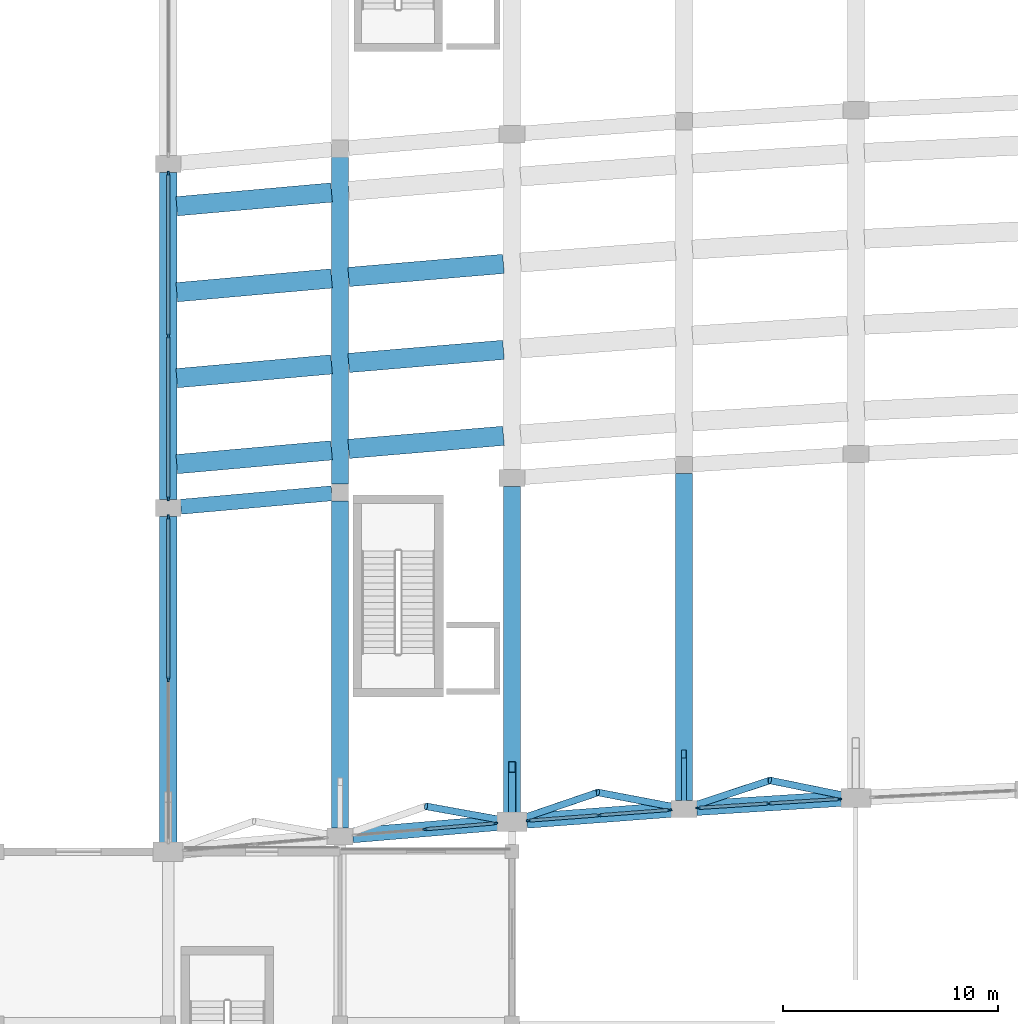
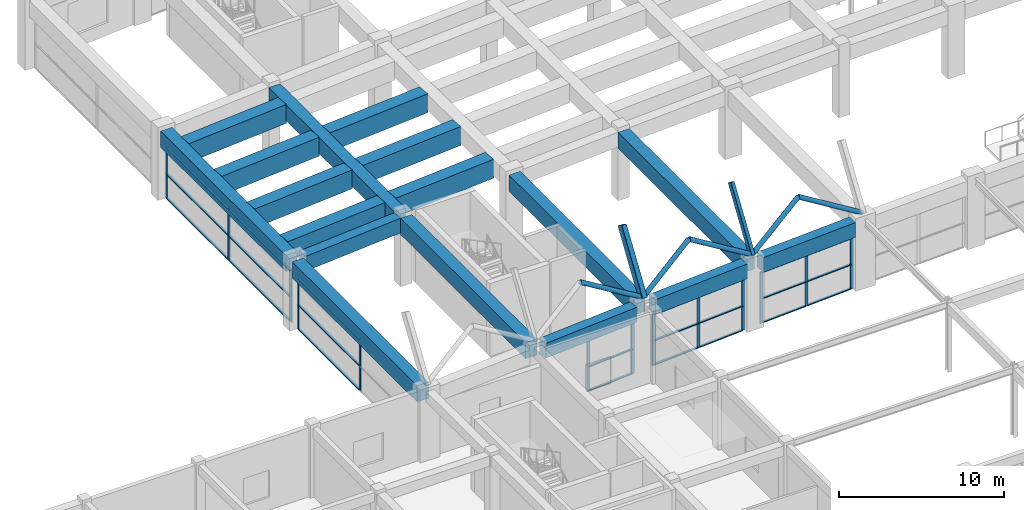
# One storey, part 21 of 69: 42 members, 19 beams, 5 elements without a shape of their own.
"""IFC4 building model written with IfcOpenShell, lengths in metres."""

from ifc_helpers import new_model, si_unit, direction, frame, origin, origin_2d, place, context, subcontext, project, spatial, rectangle, hollow_rectangle, hollow_circle, extrude, material, material_profile, profile_set, type_object, element, aggregate, save


model = new_model("IFC4")

# Units and contexts
model_context = context("Model", 3, precision=1e-05, world=origin(), true_north=direction((0.0, 1.0)))
body_context = subcontext(model_context, "Body", "Model", "MODEL_VIEW")
ifc_project = project(units=[si_unit("LENGTHUNIT", "METRE"), si_unit("AREAUNIT", "SQUARE_METRE"), si_unit("VOLUMEUNIT", "CUBIC_METRE"), si_unit("PLANEANGLEUNIT", "RADIAN"), si_unit("MASSUNIT", "GRAM", prefix="KILO")], contexts=[model_context])

# Site, building, storey
site_placement = place(None, origin())
site = spatial("IfcSite", under=ifc_project, at=site_placement, CompositionType="ELEMENT")
building_placement = place(site_placement, origin())
building = spatial("IfcBuilding", under=site, at=building_placement, Name="Kenh Van Central Station", CompositionType="ELEMENT")
storey_placement = place(building_placement, frame((0.0, 0.0, 5.39990234375)))
storey = spatial("IfcBuildingStorey", under=building, at=storey_placement, Name="L01", CompositionType="ELEMENT", Elevation=5.39990234375)

# Beams
ifc_material_1 = material(Name="Concrete C40/50", Category="concrete")
ifc_material_profile_1 = material_profile(ifc_material_1, rectangle(XDim=0.699951171875, YDim=1.10009765625, at=origin_2d()), Name="RC 700x1100")
ifc_profile_set_1 = profile_set([ifc_material_profile_1], Name="Concrete C40/50")
beam_type_1 = type_object("IfcBeamType", Name="BM-RC-700x1100", PredefinedType="BEAM", material=ifc_profile_set_1)
beam_1_placement = place(storey_placement, frame((40.587890625, 64.76171875, 4.530029296875), z_axis=(0.996444229131, 0.084254959688, 0.0), x_axis=(-0.084254959688, 0.996444229131, 0.0)))
element("IfcBeam", 1, at=beam_1_placement, inside=storey, type_object=beam_type_1, Name="L01 viaduct girder 1382", PredefinedType="BEAM", context=body_context, shape_type="SweptSolid", body=[
    extrude(rectangle(XDim=0.699951171875, YDim=1.10009765625, at=origin_2d()), origin(), (0.0, 0.0, 1.0), 6.74853515625),
])
beam_2_placement = place(storey_placement, frame((48.68798828125, 65.440673828125, 4.530029296875), z_axis=(0.997135493389, 0.075636021993, 0.0), x_axis=(-0.075636021993, 0.997135493389, 0.0)))
element("IfcBeam", 2, at=beam_2_placement, inside=storey, type_object=beam_type_1, Name="L01 viaduct girder 1383", PredefinedType="BEAM", context=body_context, shape_type="SweptSolid", body=[
    extrude(rectangle(XDim=0.699951171875, YDim=1.10009765625, at=origin_2d()), origin(), (0.0, 0.0, 1.0), 6.742919921875),
])
beam_3_placement = place(storey_placement, frame((56.5888671875, 66.032470703125, 4.530029296875), z_axis=(0.99800019098, 0.06321090732, 0.0), x_axis=(-0.06321090732, 0.99800019098, 0.0)))
element("IfcBeam", 3, at=beam_3_placement, inside=storey, type_object=beam_type_1, Name="L01 viaduct girder 1384", PredefinedType="BEAM", context=body_context, shape_type="SweptSolid", body=[
    extrude(rectangle(XDim=0.699951171875, YDim=1.10009765625, at=origin_2d()), origin(), (0.0, 0.0, 1.0), 6.73583984375),
])
beam_4_placement = place(storey_placement, frame((32.587646484375, 80.05224609375, 4.530029296875), z_axis=(0.996061437134, 0.088665740024, 0.0), x_axis=(-0.088665740024, 0.996061437134, 0.0)))
element("IfcBeam", 4, at=beam_4_placement, inside=storey, type_object=beam_type_1, Name="L01 viaduct girder 1395", PredefinedType="BEAM", context=body_context, shape_type="SweptSolid", body=[
    extrude(rectangle(XDim=0.699951171875, YDim=1.10009765625, at=origin_2d()), origin(), (0.0, 0.0, 1.0), 7.0517578125),
])
ifc_material_profile_2 = material_profile(ifc_material_1, rectangle(XDim=0.800048828125, YDim=1.199951171875, at=origin_2d()), Name="RC 800x1200")
ifc_profile_set_2 = profile_set([ifc_material_profile_2], Name="Concrete C40/50")
beam_type_2 = type_object("IfcBeamType", Name="BM-TRK-800x1200", PredefinedType="BEAM", material=ifc_profile_set_2)
beam_5_placement = place(storey_placement, frame((32.0, 64.43994140625, 4.47998046875), z_axis=(0.0, 1.0, 0.0), x_axis=(-1.0, 0.0, 0.0)))
element("IfcBeam", 5, at=beam_5_placement, inside=storey, type_object=beam_type_2, Name="L01 viaduct cross-girder 1436", PredefinedType="BEAM", context=body_context, shape_type="SweptSolid", body=[
    extrude(rectangle(XDim=0.800048828125, YDim=1.199951171875, at=origin_2d()), origin(), (0.0, 0.0, 1.0), 15.170166015625),
])
beam_6_placement = place(storey_placement, frame((32.0, 80.389892578125, 4.47998046875), z_axis=(0.0, 1.0, 0.0), x_axis=(-1.0, 0.0, 0.0)))
element("IfcBeam", 6, at=beam_6_placement, inside=storey, type_object=beam_type_2, Name="L01 viaduct cross-girder 1437", PredefinedType="BEAM", context=body_context, shape_type="SweptSolid", body=[
    extrude(rectangle(XDim=0.800048828125, YDim=1.199951171875, at=origin_2d()), origin(), (0.0, 0.0, 1.0), 15.22021484375),
])
for number, where, z_axis, x_axis, name in (
    (7, (40.0, 65.10205078125, 4.47998046875), (0.0, 1.0, 0.0), (-1.0, 0.0, 0.0), "L01 viaduct cross-girder 1439"),
    (8, (40.0, 81.10205078125, 4.47998046875), (0.0, 1.0, 0.0), (-1.0, 0.0, 0.0), "L01 viaduct cross-girder 1440"),
):
    element("IfcBeam", number, at=place(storey_placement, frame(where, z_axis=z_axis, x_axis=x_axis)), inside=storey, type_object=beam_type_2, Name=name, PredefinedType="BEAM", context=body_context, shape_type="SweptSolid", body=[
        extrude(rectangle(XDim=0.800048828125, YDim=1.199951171875, at=origin_2d()), origin(), (0.0, 0.0, 1.0), 15.219970703125),
    ])
beam_7_placement = place(storey_placement, frame((48.0, 65.828369140625, 4.47998046875), z_axis=(0.0, 1.0, 0.0), x_axis=(-1.0, 0.0, 0.0)))
element("IfcBeam", 9, at=beam_7_placement, inside=storey, type_object=beam_type_2, Name="L01 viaduct cross-girder 1442", PredefinedType="BEAM", context=body_context, shape_type="SweptSolid", body=[
    extrude(rectangle(XDim=0.800048828125, YDim=1.199951171875, at=origin_2d()), origin(), (0.0, 0.0, 1.0), 15.169921875),
])
beam_8_placement = place(storey_placement, frame((56.0, 66.38525390625, 4.47998046875), z_axis=(0.0, 1.0, 0.0), x_axis=(-1.0, 0.0, 0.0)))
element("IfcBeam", 10, at=beam_8_placement, inside=storey, type_object=beam_type_2, Name="L01 viaduct cross-girder 1445", PredefinedType="BEAM", context=body_context, shape_type="SweptSolid", body=[
    extrude(rectangle(XDim=0.800048828125, YDim=1.199951171875, at=origin_2d()), origin(), (0.0, 0.0, 1.0), 15.219970703125),
])
ifc_material_profile_3 = material_profile(ifc_material_1, rectangle(XDim=0.89990234375, YDim=1.39990234375, at=origin_2d()), Name="RC 900x1400")
ifc_profile_set_3 = profile_set([ifc_material_profile_3], Name="Concrete C40/50")
beam_type_3 = type_object("IfcBeamType", Name="BM-TRK-900x1400", PredefinedType="BEAM", material=ifc_profile_set_3)
beam_9_placement = place(storey_placement, frame((32.3984375, 82.035400390625, 4.380126953125), z_axis=(0.99606244482, 0.088654419065, 0.0), x_axis=(-0.088654419065, 0.99606244482, 0.0)))
element("IfcBeam", 11, at=beam_9_placement, inside=storey, type_object=beam_type_3, Name="Track 1 trough girder 1475", PredefinedType="BEAM", context=body_context, shape_type="SweptSolid", body=[
    extrude(rectangle(XDim=0.89990234375, YDim=1.39990234375, at=origin_2d()), origin(), (0.0, 0.0, 1.0), 7.231689453125),
])
beam_10_placement = place(storey_placement, frame((40.398681640625, 82.745849609375, 4.380126953125), z_axis=(0.996445816639, 0.084236182859, 0.0), x_axis=(-0.084236182859, 0.996445816639, 0.0)))
element("IfcBeam", 12, at=beam_10_placement, inside=storey, type_object=beam_type_3, Name="Track 1 trough girder 1476", PredefinedType="BEAM", context=body_context, shape_type="SweptSolid", body=[
    extrude(rectangle(XDim=0.89990234375, YDim=1.39990234375, at=origin_2d()), origin(), (0.0, 0.0, 1.0), 7.228271484375),
])
beam_11_placement = place(storey_placement, frame((32.3984375, 86.035400390625, 4.380126953125), z_axis=(0.99606244482, 0.088654419065, 0.0), x_axis=(-0.088654419065, 0.99606244482, 0.0)))
element("IfcBeam", 13, at=beam_11_placement, inside=storey, type_object=beam_type_3, Name="Track 2 trough girder 1489", PredefinedType="BEAM", context=body_context, shape_type="SweptSolid", body=[
    extrude(rectangle(XDim=0.89990234375, YDim=1.39990234375, at=origin_2d()), origin(), (0.0, 0.0, 1.0), 7.231689453125),
])
beam_12_placement = place(storey_placement, frame((40.398681640625, 86.745849609375, 4.380126953125), z_axis=(0.996445816639, 0.084236182859, 0.0), x_axis=(-0.084236182859, 0.996445816639, 0.0)))
element("IfcBeam", 14, at=beam_12_placement, inside=storey, type_object=beam_type_3, Name="Track 2 trough girder 1490", PredefinedType="BEAM", context=body_context, shape_type="SweptSolid", body=[
    extrude(rectangle(XDim=0.89990234375, YDim=1.39990234375, at=origin_2d()), origin(), (0.0, 0.0, 1.0), 7.228271484375),
])
beam_13_placement = place(storey_placement, frame((32.3984375, 90.035400390625, 4.380126953125), z_axis=(0.99606244482, 0.088654419065, 0.0), x_axis=(-0.088654419065, 0.99606244482, 0.0)))
element("IfcBeam", 15, at=beam_13_placement, inside=storey, type_object=beam_type_3, Name="Track 3 trough girder 1503", PredefinedType="BEAM", context=body_context, shape_type="SweptSolid", body=[
    extrude(rectangle(XDim=0.89990234375, YDim=1.39990234375, at=origin_2d()), origin(), (0.0, 0.0, 1.0), 7.231689453125),
])
beam_14_placement = place(storey_placement, frame((40.398681640625, 90.745849609375, 4.380126953125), z_axis=(0.996445816639, 0.084236182859, 0.0), x_axis=(-0.084236182859, 0.996445816639, 0.0)))
element("IfcBeam", 16, at=beam_14_placement, inside=storey, type_object=beam_type_3, Name="Track 3 trough girder 1504", PredefinedType="BEAM", context=body_context, shape_type="SweptSolid", body=[
    extrude(rectangle(XDim=0.89990234375, YDim=1.39990234375, at=origin_2d()), origin(), (0.0, 0.0, 1.0), 7.228271484375),
])
beam_15_placement = place(storey_placement, frame((32.3984375, 94.035400390625, 4.380126953125), z_axis=(0.99606244482, 0.088654419065, 0.0), x_axis=(-0.088654419065, 0.99606244482, 0.0)))
element("IfcBeam", 17, at=beam_15_placement, inside=storey, type_object=beam_type_3, Name="Track 4 trough girder 1517", PredefinedType="BEAM", context=body_context, shape_type="SweptSolid", body=[
    extrude(rectangle(XDim=0.89990234375, YDim=1.39990234375, at=origin_2d()), origin(), (0.0, 0.0, 1.0), 7.231689453125),
])
ifc_material_2 = material(Name="White fluoropolymer structural steel S355", Category="steel")
ifc_material_profile_4 = material_profile(ifc_material_2, hollow_rectangle(XDim=0.35009765625, YDim=0.60009765625, WallThickness=0.01611328125, InnerFilletRadius=0.01611328125, OuterFilletRadius=0.031982421875, at=origin_2d()), Name="RHS 600x350x16")
ifc_profile_set_4 = profile_set([ifc_material_profile_4], Name="White fluoropolymer structural steel S355")
beam_type_4 = type_object("IfcBeamType", Name="BM-VAULT-ARCH600", PredefinedType="BEAM", material=ifc_profile_set_4)
beam_16_placement = place(storey_placement, frame((48.0, 65.388427734375, 5.280029296875), z_axis=(0.0, 0.5493771127, 0.835574525725), x_axis=(-1.0, 0.0, 0.0)))
element("IfcBeam", 18, at=beam_16_placement, inside=storey, type_object=beam_type_4, Name="Vault transverse arch 025", PredefinedType="BEAM", context=body_context, shape_type="SweptSolid", body=[
    extrude(hollow_rectangle(XDim=0.35009765625, YDim=0.60009765625, WallThickness=0.01611328125, InnerFilletRadius=0.01611328125, OuterFilletRadius=0.031982421875, at=origin_2d()), origin(), (0.0, 0.0, 1.0), 4.645751953125),
])
ifc_material_profile_5 = material_profile(ifc_material_2, hollow_rectangle(XDim=0.25, YDim=0.449951171875, WallThickness=0.012451171875, InnerFilletRadius=0.012451171875, OuterFilletRadius=0.02490234375, at=origin_2d()), Name="RHS 450x250x12.5")
ifc_profile_set_5 = profile_set([ifc_material_profile_5], Name="White fluoropolymer structural steel S355")
beam_type_5 = type_object("IfcBeamType", Name="BM-VAULT-SUB450", PredefinedType="BEAM", material=ifc_profile_set_5)
beam_17_placement = place(storey_placement, frame((56.0, 65.9951171875, 5.280029296875), z_axis=(0.0, 0.549413802018, 0.835550401922), x_axis=(-1.0, 0.0, 0.0)))
element("IfcBeam", 19, at=beam_17_placement, inside=storey, type_object=beam_type_5, Name="Vault transverse arch 037", PredefinedType="BEAM", context=body_context, shape_type="SweptSolid", body=[
    extrude(hollow_rectangle(XDim=0.25, YDim=0.449951171875, WallThickness=0.012451171875, InnerFilletRadius=0.012451171875, OuterFilletRadius=0.02490234375, at=origin_2d()), origin(), (0.0, 0.0, 1.0), 4.645751953125),
])

# Curtain wall, members
ifc_material_3 = material(Name="Champagne anodised aluminium", Category="aluminium")
curtain_wall_type = type_object("IfcCurtainWallType", Name="CW-HALL-A", PredefinedType="NOTDEFINED", material=ifc_material_3)
curtain_wall_1_placement = place(storey_placement, origin())
curtain_wall_1 = element("IfcCurtainWall", 20, at=curtain_wall_1_placement, inside=storey, type_object=curtain_wall_type, Name="L01 curtain wall 097", PredefinedType="NOTDEFINED")
ifc_material_profile_6 = material_profile(ifc_material_3, rectangle(XDim=0.08203125, YDim=0.22509765625, at=origin_2d()), Name="AL 82x225")
ifc_profile_set_6 = profile_set([ifc_material_profile_6], Name="Champagne anodised aluminium")
member_type_1 = type_object("IfcMemberType", Name="CWM-70x180", PredefinedType="MULLION", material=ifc_profile_set_6)
member_1_placement = place(storey_placement, frame((32.0, 72.02490234375, 0.0), z_axis=(0.0, 0.0, 1.0), x_axis=(-1.0, 0.0, 0.0)))
member_1 = element("IfcMember", 21, at=member_1_placement, type_object=member_type_1, Name="CW-01 mullion 2", PredefinedType="MULLION", context=body_context, shape_type="SweptSolid", body=[
    extrude(rectangle(XDim=0.08203125, YDim=0.22509765625, at=origin_2d()), origin(), (0.0, 0.0, 1.0), 3.800048828125),
])
member_2_placement = place(storey_placement, frame((32.0, 79.55908203125, 0.0), z_axis=(0.0, 0.0, 1.0), x_axis=(-1.0, 0.0, 0.0)))
member_2 = element("IfcMember", 22, at=member_2_placement, type_object=member_type_1, Name="CW-01 mullion 3", PredefinedType="MULLION", context=body_context, shape_type="SweptSolid", body=[
    extrude(rectangle(XDim=0.08203125, YDim=0.22509765625, at=origin_2d()), origin(), (0.0, 0.0, 1.0), 3.800048828125),
])

curtain_wall_2_placement = place(storey_placement, origin())
curtain_wall_2 = element("IfcCurtainWall", 23, at=curtain_wall_2_placement, inside=storey, type_object=curtain_wall_type, Name="L01 curtain wall 098", PredefinedType="NOTDEFINED")
member_3_placement = place(storey_placement, frame((32.0, 80.44091796875, 0.0), z_axis=(0.0, 0.0, 1.0), x_axis=(-1.0, 0.0, 0.0)))
member_3 = element("IfcMember", 24, at=member_3_placement, type_object=member_type_1, Name="CW-01 mullion 1", PredefinedType="MULLION", context=body_context, shape_type="SweptSolid", body=[
    extrude(rectangle(XDim=0.08203125, YDim=0.22509765625, at=origin_2d()), origin(), (0.0, 0.0, 1.0), 3.800048828125),
])
member_4_placement = place(storey_placement, frame((32.0, 88.0, 0.0), z_axis=(0.0, 0.0, 1.0), x_axis=(-1.0, 0.0, 0.0)))
member_4 = element("IfcMember", 25, at=member_4_placement, type_object=member_type_1, Name="CW-01 mullion 2", PredefinedType="MULLION", context=body_context, shape_type="SweptSolid", body=[
    extrude(rectangle(XDim=0.08203125, YDim=0.22509765625, at=origin_2d()), origin(), (0.0, 0.0, 1.0), 3.800048828125),
])
member_5_placement = place(storey_placement, frame((32.0, 95.55908203125, 0.0), z_axis=(0.0, 0.0, 1.0), x_axis=(-1.0, 0.0, 0.0)))
member_5 = element("IfcMember", 26, at=member_5_placement, type_object=member_type_1, Name="CW-01 mullion 3", PredefinedType="MULLION", context=body_context, shape_type="SweptSolid", body=[
    extrude(rectangle(XDim=0.08203125, YDim=0.22509765625, at=origin_2d()), origin(), (0.0, 0.0, 1.0), 3.800048828125),
])

curtain_wall_3_placement = place(storey_placement, origin())
curtain_wall_3 = element("IfcCurtainWall", 27, at=curtain_wall_3_placement, inside=storey, type_object=curtain_wall_type, Name="L01 curtain wall 077", PredefinedType="NOTDEFINED")
ifc_material_profile_7 = material_profile(ifc_material_3, rectangle(XDim=0.080078125, YDim=0.219970703125, at=origin_2d()), Name="AL 80x220")
ifc_profile_set_7 = profile_set([ifc_material_profile_7], Name="Champagne anodised aluminium")
member_type_2 = type_object("IfcMemberType", Name="CWM-80x220", PredefinedType="MULLION", material=ifc_profile_set_7)
member_6_placement = place(storey_placement, frame((43.9482421875, 65.0458984375, 0.0), z_axis=(0.0, 0.0, 1.0), x_axis=(-0.084244265333, 0.996445133341, 0.0)))
member_6 = element("IfcMember", 28, at=member_6_placement, type_object=member_type_2, Name="CW-01 mullion 2", PredefinedType="MULLION", context=body_context, shape_type="SweptSolid", body=[
    extrude(rectangle(XDim=0.080078125, YDim=0.219970703125, at=origin_2d()), origin(), (0.0, 0.0, 1.0), 3.800048828125),
])
member_7_placement = place(storey_placement, frame((47.227294921875, 65.3232421875, 0.0), z_axis=(0.0, 0.0, 1.0), x_axis=(-0.084244265333, 0.996445133341, 0.0)))
member_7 = element("IfcMember", 29, at=member_7_placement, type_object=member_type_2, Name="CW-01 mullion 3", PredefinedType="MULLION", context=body_context, shape_type="SweptSolid", body=[
    extrude(rectangle(XDim=0.080078125, YDim=0.219970703125, at=origin_2d()), origin(), (0.0, 0.0, 1.0), 3.800048828125),
])

curtain_wall_4_placement = place(storey_placement, origin())
curtain_wall_4 = element("IfcCurtainWall", 30, at=curtain_wall_4_placement, inside=storey, type_object=curtain_wall_type, Name="L01 curtain wall 079", PredefinedType="NOTDEFINED")
member_8_placement = place(storey_placement, frame((48.769775390625, 65.44677734375, 0.0), z_axis=(0.0, 0.0, 1.0), x_axis=(-0.075632463968, 0.997135763271, 0.0)))
member_8 = element("IfcMember", 31, at=member_8_placement, type_object=member_type_2, Name="CW-01 mullion 1", PredefinedType="MULLION", context=body_context, shape_type="SweptSolid", body=[
    extrude(rectangle(XDim=0.080078125, YDim=0.219970703125, at=origin_2d()), origin(), (0.0, 0.0, 1.0), 3.800048828125),
])
member_9_placement = place(storey_placement, frame((52.051513671875, 65.69580078125, 0.0), z_axis=(0.0, 0.0, 1.0), x_axis=(-0.075632463968, 0.997135763271, 0.0)))
member_9 = element("IfcMember", 32, at=member_9_placement, type_object=member_type_2, Name="CW-01 mullion 2", PredefinedType="MULLION", context=body_context, shape_type="SweptSolid", body=[
    extrude(rectangle(XDim=0.080078125, YDim=0.219970703125, at=origin_2d()), origin(), (0.0, 0.0, 1.0), 3.800048828125),
])
member_10_placement = place(storey_placement, frame((55.33349609375, 65.944580078125, 0.0), z_axis=(0.0, 0.0, 1.0), x_axis=(-0.075632463968, 0.997135763271, 0.0)))
member_10 = element("IfcMember", 33, at=member_10_placement, type_object=member_type_2, Name="CW-01 mullion 3", PredefinedType="MULLION", context=body_context, shape_type="SweptSolid", body=[
    extrude(rectangle(XDim=0.080078125, YDim=0.219970703125, at=origin_2d()), origin(), (0.0, 0.0, 1.0), 3.800048828125),
])

curtain_wall_5_placement = place(storey_placement, origin())
curtain_wall_5 = element("IfcCurtainWall", 34, at=curtain_wall_5_placement, inside=storey, type_object=curtain_wall_type, Name="L01 curtain wall 081", PredefinedType="NOTDEFINED")
member_11_placement = place(storey_placement, frame((56.662841796875, 66.037109375, 0.0), z_axis=(0.0, 0.0, 1.0), x_axis=(-0.063211477724, 0.998000154852, 0.0)))
member_11 = element("IfcMember", 35, at=member_11_placement, type_object=member_type_2, Name="CW-01 mullion 1", PredefinedType="MULLION", context=body_context, shape_type="SweptSolid", body=[
    extrude(rectangle(XDim=0.080078125, YDim=0.219970703125, at=origin_2d()), origin(), (0.0, 0.0, 1.0), 3.800048828125),
])
member_12_placement = place(storey_placement, frame((59.948486328125, 66.245361328125, 0.0), z_axis=(0.0, 0.0, 1.0), x_axis=(-0.063211477724, 0.998000154852, 0.0)))
member_12 = element("IfcMember", 36, at=member_12_placement, type_object=member_type_2, Name="CW-01 mullion 2", PredefinedType="MULLION", context=body_context, shape_type="SweptSolid", body=[
    extrude(rectangle(XDim=0.080078125, YDim=0.219970703125, at=origin_2d()), origin(), (0.0, 0.0, 1.0), 3.800048828125),
])
member_13_placement = place(storey_placement, frame((63.234375, 66.453369140625, 0.0), z_axis=(0.0, 0.0, 1.0), x_axis=(-0.063211477724, 0.998000154852, 0.0)))
member_13 = element("IfcMember", 37, at=member_13_placement, type_object=member_type_2, Name="CW-01 mullion 3", PredefinedType="MULLION", context=body_context, shape_type="SweptSolid", body=[
    extrude(rectangle(XDim=0.080078125, YDim=0.219970703125, at=origin_2d()), origin(), (0.0, 0.0, 1.0), 3.800048828125),
])

# Member
ifc_material_profile_8 = material_profile(ifc_material_3, rectangle(XDim=0.14990234375, YDim=0.070068359375, at=origin_2d()), Name="AL 150x70")
ifc_profile_set_8 = profile_set([ifc_material_profile_8], Name="Champagne anodised aluminium")
member_type_3 = type_object("IfcMemberType", Name="CWT-150x70", PredefinedType="USERDEFINED", material=ifc_profile_set_8)
member_14_placement = place(storey_placement, frame((43.988037109375, 65.04931640625, 0.03515625), z_axis=(0.996444876406, 0.084247304316, 0.0), x_axis=(-0.084247304316, 0.996444876406, 0.0)))
member_14 = element("IfcMember", 38, at=member_14_placement, type_object=member_type_3, Name="CW-01 transom 2.1", ObjectType="TRANSOM", PredefinedType="USERDEFINED", context=body_context, shape_type="SweptSolid", body=[
    extrude(rectangle(XDim=0.14990234375, YDim=0.070068359375, at=origin_2d()), origin(), (0.0, 0.0, 1.0), 3.2109375),
])

member_15_placement = place(storey_placement, frame((43.988037109375, 65.04931640625, 1.82421875), z_axis=(0.996444876406, 0.084247304316, 0.0), x_axis=(-0.084247304316, 0.996444876406, 0.0)))
member_15 = element("IfcMember", 39, at=member_15_placement, type_object=member_type_3, Name="CW-01 transom 2.2", ObjectType="TRANSOM", PredefinedType="USERDEFINED", context=body_context, shape_type="SweptSolid", body=[
    extrude(rectangle(XDim=0.14990234375, YDim=0.070068359375, at=origin_2d()), origin(), (0.0, 0.0, 1.0), 3.2109375),
])

member_16_placement = place(storey_placement, frame((43.988037109375, 65.04931640625, 3.76513671875), z_axis=(0.996444876406, 0.084247304316, 0.0), x_axis=(-0.084247304316, 0.996444876406, 0.0)))
member_16 = element("IfcMember", 40, at=member_16_placement, type_object=member_type_3, Name="CW-01 transom 2.3", ObjectType="TRANSOM", PredefinedType="USERDEFINED", context=body_context, shape_type="SweptSolid", body=[
    extrude(rectangle(XDim=0.14990234375, YDim=0.070068359375, at=origin_2d()), origin(), (0.0, 0.0, 1.0), 3.2109375),
])

aggregate(curtain_wall_3, [member_6, member_7, member_14, member_15, member_16])

member_17_placement = place(storey_placement, frame((48.8095703125, 65.449951171875, 0.03515625), z_axis=(0.997140605255, 0.075568600307, 0.0), x_axis=(-0.075568600307, 0.997140605255, 0.0)))
member_17 = element("IfcMember", 41, at=member_17_placement, type_object=member_type_3, Name="CW-01 transom 1.1", ObjectType="TRANSOM", PredefinedType="USERDEFINED", context=body_context, shape_type="SweptSolid", body=[
    extrude(rectangle(XDim=0.14990234375, YDim=0.070068359375, at=origin_2d()), origin(), (0.0, 0.0, 1.0), 3.21142578125),
])

member_18_placement = place(storey_placement, frame((48.8095703125, 65.449951171875, 1.82421875), z_axis=(0.997140605255, 0.075568600307, 0.0), x_axis=(-0.075568600307, 0.997140605255, 0.0)))
member_18 = element("IfcMember", 42, at=member_18_placement, type_object=member_type_3, Name="CW-01 transom 1.2", ObjectType="TRANSOM", PredefinedType="USERDEFINED", context=body_context, shape_type="SweptSolid", body=[
    extrude(rectangle(XDim=0.14990234375, YDim=0.070068359375, at=origin_2d()), origin(), (0.0, 0.0, 1.0), 3.21142578125),
])

member_19_placement = place(storey_placement, frame((48.8095703125, 65.449951171875, 3.76513671875), z_axis=(0.997140605255, 0.075568600307, 0.0), x_axis=(-0.075568600307, 0.997140605255, 0.0)))
member_19 = element("IfcMember", 43, at=member_19_placement, type_object=member_type_3, Name="CW-01 transom 1.3", ObjectType="TRANSOM", PredefinedType="USERDEFINED", context=body_context, shape_type="SweptSolid", body=[
    extrude(rectangle(XDim=0.14990234375, YDim=0.070068359375, at=origin_2d()), origin(), (0.0, 0.0, 1.0), 3.21142578125),
])

member_20_placement = place(storey_placement, frame((52.091552734375, 65.69873046875, 0.03515625), z_axis=(0.997134438702, 0.07564992501, 0.0), x_axis=(-0.07564992501, 0.997134438702, 0.0)))
member_20 = element("IfcMember", 44, at=member_20_placement, type_object=member_type_3, Name="CW-01 transom 2.1", ObjectType="TRANSOM", PredefinedType="USERDEFINED", context=body_context, shape_type="SweptSolid", body=[
    extrude(rectangle(XDim=0.14990234375, YDim=0.070068359375, at=origin_2d()), origin(), (0.0, 0.0, 1.0), 3.211181640625),
])

member_21_placement = place(storey_placement, frame((52.091552734375, 65.69873046875, 1.82421875), z_axis=(0.997134438702, 0.07564992501, 0.0), x_axis=(-0.07564992501, 0.997134438702, 0.0)))
member_21 = element("IfcMember", 45, at=member_21_placement, type_object=member_type_3, Name="CW-01 transom 2.2", ObjectType="TRANSOM", PredefinedType="USERDEFINED", context=body_context, shape_type="SweptSolid", body=[
    extrude(rectangle(XDim=0.14990234375, YDim=0.070068359375, at=origin_2d()), origin(), (0.0, 0.0, 1.0), 3.211181640625),
])

member_22_placement = place(storey_placement, frame((52.091552734375, 65.69873046875, 3.76513671875), z_axis=(0.997134438702, 0.07564992501, 0.0), x_axis=(-0.07564992501, 0.997134438702, 0.0)))
member_22 = element("IfcMember", 46, at=member_22_placement, type_object=member_type_3, Name="CW-01 transom 2.3", ObjectType="TRANSOM", PredefinedType="USERDEFINED", context=body_context, shape_type="SweptSolid", body=[
    extrude(rectangle(XDim=0.14990234375, YDim=0.070068359375, at=origin_2d()), origin(), (0.0, 0.0, 1.0), 3.211181640625),
])

aggregate(curtain_wall_4, [member_8, member_9, member_10, member_17, member_18, member_19, member_20, member_21, member_22])

member_23_placement = place(storey_placement, frame((56.70263671875, 66.03955078125, 0.03515625), z_axis=(0.997998987314, 0.063229908426, 0.0), x_axis=(-0.063229908426, 0.997998987314, 0.0)))
member_23 = element("IfcMember", 47, at=member_23_placement, type_object=member_type_3, Name="CW-01 transom 1.1", ObjectType="TRANSOM", PredefinedType="USERDEFINED", context=body_context, shape_type="SweptSolid", body=[
    extrude(rectangle(XDim=0.14990234375, YDim=0.070068359375, at=origin_2d()), origin(), (0.0, 0.0, 1.0), 3.21240234375),
])

member_24_placement = place(storey_placement, frame((56.70263671875, 66.03955078125, 1.82421875), z_axis=(0.997998987314, 0.063229908426, 0.0), x_axis=(-0.063229908426, 0.997998987314, 0.0)))
member_24 = element("IfcMember", 48, at=member_24_placement, type_object=member_type_3, Name="CW-01 transom 1.2", ObjectType="TRANSOM", PredefinedType="USERDEFINED", context=body_context, shape_type="SweptSolid", body=[
    extrude(rectangle(XDim=0.14990234375, YDim=0.070068359375, at=origin_2d()), origin(), (0.0, 0.0, 1.0), 3.21240234375),
])

member_25_placement = place(storey_placement, frame((56.70263671875, 66.03955078125, 3.76513671875), z_axis=(0.997998987314, 0.063229908426, 0.0), x_axis=(-0.063229908426, 0.997998987314, 0.0)))
member_25 = element("IfcMember", 49, at=member_25_placement, type_object=member_type_3, Name="CW-01 transom 1.3", ObjectType="TRANSOM", PredefinedType="USERDEFINED", context=body_context, shape_type="SweptSolid", body=[
    extrude(rectangle(XDim=0.14990234375, YDim=0.070068359375, at=origin_2d()), origin(), (0.0, 0.0, 1.0), 3.21240234375),
])

member_26_placement = place(storey_placement, frame((59.988525390625, 66.247802734375, 0.03515625), z_axis=(0.997998987314, 0.063229908426, 0.0), x_axis=(-0.063229908426, 0.997998987314, 0.0)))
member_26 = element("IfcMember", 50, at=member_26_placement, type_object=member_type_3, Name="CW-01 transom 2.1", ObjectType="TRANSOM", PredefinedType="USERDEFINED", context=body_context, shape_type="SweptSolid", body=[
    extrude(rectangle(XDim=0.14990234375, YDim=0.070068359375, at=origin_2d()), origin(), (0.0, 0.0, 1.0), 3.21240234375),
])

member_27_placement = place(storey_placement, frame((59.988525390625, 66.247802734375, 1.82421875), z_axis=(0.997998987314, 0.063229908426, 0.0), x_axis=(-0.063229908426, 0.997998987314, 0.0)))
member_27 = element("IfcMember", 51, at=member_27_placement, type_object=member_type_3, Name="CW-01 transom 2.2", ObjectType="TRANSOM", PredefinedType="USERDEFINED", context=body_context, shape_type="SweptSolid", body=[
    extrude(rectangle(XDim=0.14990234375, YDim=0.070068359375, at=origin_2d()), origin(), (0.0, 0.0, 1.0), 3.21240234375),
])

member_28_placement = place(storey_placement, frame((59.988525390625, 66.247802734375, 3.76513671875), z_axis=(0.997998987314, 0.063229908426, 0.0), x_axis=(-0.063229908426, 0.997998987314, 0.0)))
member_28 = element("IfcMember", 52, at=member_28_placement, type_object=member_type_3, Name="CW-01 transom 2.3", ObjectType="TRANSOM", PredefinedType="USERDEFINED", context=body_context, shape_type="SweptSolid", body=[
    extrude(rectangle(XDim=0.14990234375, YDim=0.070068359375, at=origin_2d()), origin(), (0.0, 0.0, 1.0), 3.21240234375),
])

aggregate(curtain_wall_5, [member_11, member_12, member_13, member_23, member_24, member_25, member_26, member_27, member_28])

member_29_placement = place(storey_placement, frame((32.0, 72.06591796875, 0.03515625), z_axis=(0.0, 1.0, 0.0), x_axis=(-1.0, 0.0, 0.0)))
member_29 = element("IfcMember", 53, at=member_29_placement, type_object=member_type_3, Name="CW-01 transom 2.1", ObjectType="TRANSOM", PredefinedType="USERDEFINED", context=body_context, shape_type="SweptSolid", body=[
    extrude(rectangle(XDim=0.14990234375, YDim=0.070068359375, at=origin_2d()), origin(), (0.0, 0.0, 1.0), 7.4521484375),
])

member_30_placement = place(storey_placement, frame((32.0, 72.06591796875, 1.82421875), z_axis=(0.0, 1.0, 0.0), x_axis=(-1.0, 0.0, 0.0)))
member_30 = element("IfcMember", 54, at=member_30_placement, type_object=member_type_3, Name="CW-01 transom 2.2", ObjectType="TRANSOM", PredefinedType="USERDEFINED", context=body_context, shape_type="SweptSolid", body=[
    extrude(rectangle(XDim=0.14990234375, YDim=0.070068359375, at=origin_2d()), origin(), (0.0, 0.0, 1.0), 7.4521484375),
])

member_31_placement = place(storey_placement, frame((32.0, 72.06591796875, 3.76513671875), z_axis=(0.0, 1.0, 0.0), x_axis=(-1.0, 0.0, 0.0)))
member_31 = element("IfcMember", 55, at=member_31_placement, type_object=member_type_3, Name="CW-01 transom 2.3", ObjectType="TRANSOM", PredefinedType="USERDEFINED", context=body_context, shape_type="SweptSolid", body=[
    extrude(rectangle(XDim=0.14990234375, YDim=0.070068359375, at=origin_2d()), origin(), (0.0, 0.0, 1.0), 7.4521484375),
])

aggregate(curtain_wall_1, [member_1, member_2, member_29, member_30, member_31])

member_32_placement = place(storey_placement, frame((32.0, 80.48193359375, 0.03515625), z_axis=(0.0, 1.0, 0.0), x_axis=(-1.0, 0.0, 0.0)))
member_32 = element("IfcMember", 56, at=member_32_placement, type_object=member_type_3, Name="CW-01 transom 1.1", ObjectType="TRANSOM", PredefinedType="USERDEFINED", context=body_context, shape_type="SweptSolid", body=[
    extrude(rectangle(XDim=0.14990234375, YDim=0.070068359375, at=origin_2d()), origin(), (0.0, 0.0, 1.0), 7.47705078125),
])

member_33_placement = place(storey_placement, frame((32.0, 80.48193359375, 1.82421875), z_axis=(0.0, 1.0, 0.0), x_axis=(-1.0, 0.0, 0.0)))
member_33 = element("IfcMember", 57, at=member_33_placement, type_object=member_type_3, Name="CW-01 transom 1.2", ObjectType="TRANSOM", PredefinedType="USERDEFINED", context=body_context, shape_type="SweptSolid", body=[
    extrude(rectangle(XDim=0.14990234375, YDim=0.070068359375, at=origin_2d()), origin(), (0.0, 0.0, 1.0), 7.47705078125),
])

member_34_placement = place(storey_placement, frame((32.0, 80.48193359375, 3.76513671875), z_axis=(0.0, 1.0, 0.0), x_axis=(-1.0, 0.0, 0.0)))
member_34 = element("IfcMember", 58, at=member_34_placement, type_object=member_type_3, Name="CW-01 transom 1.3", ObjectType="TRANSOM", PredefinedType="USERDEFINED", context=body_context, shape_type="SweptSolid", body=[
    extrude(rectangle(XDim=0.14990234375, YDim=0.070068359375, at=origin_2d()), origin(), (0.0, 0.0, 1.0), 7.47705078125),
])

member_35_placement = place(storey_placement, frame((32.0, 88.041015625, 0.03515625), z_axis=(0.0, 1.0, 0.0), x_axis=(-1.0, 0.0, 0.0)))
member_35 = element("IfcMember", 59, at=member_35_placement, type_object=member_type_3, Name="CW-01 transom 2.1", ObjectType="TRANSOM", PredefinedType="USERDEFINED", context=body_context, shape_type="SweptSolid", body=[
    extrude(rectangle(XDim=0.14990234375, YDim=0.070068359375, at=origin_2d()), origin(), (0.0, 0.0, 1.0), 7.47705078125),
])

member_36_placement = place(storey_placement, frame((32.0, 88.041015625, 1.82421875), z_axis=(0.0, 1.0, 0.0), x_axis=(-1.0, 0.0, 0.0)))
member_36 = element("IfcMember", 60, at=member_36_placement, type_object=member_type_3, Name="CW-01 transom 2.2", ObjectType="TRANSOM", PredefinedType="USERDEFINED", context=body_context, shape_type="SweptSolid", body=[
    extrude(rectangle(XDim=0.14990234375, YDim=0.070068359375, at=origin_2d()), origin(), (0.0, 0.0, 1.0), 7.47705078125),
])

member_37_placement = place(storey_placement, frame((32.0, 88.041015625, 3.76513671875), z_axis=(0.0, 1.0, 0.0), x_axis=(-1.0, 0.0, 0.0)))
member_37 = element("IfcMember", 61, at=member_37_placement, type_object=member_type_3, Name="CW-01 transom 2.3", ObjectType="TRANSOM", PredefinedType="USERDEFINED", context=body_context, shape_type="SweptSolid", body=[
    extrude(rectangle(XDim=0.14990234375, YDim=0.070068359375, at=origin_2d()), origin(), (0.0, 0.0, 1.0), 7.47705078125),
])

aggregate(curtain_wall_2, [member_3, member_4, member_5, member_32, member_33, member_34, member_35, member_36, member_37])

# Members
ifc_material_profile_9 = material_profile(ifc_material_2, hollow_circle(Radius=0.161865234375, WallThickness=0.010009765625, at=origin_2d()), Name="CHS 323.9x10")
ifc_profile_set_9 = profile_set([ifc_material_profile_9], Name="White fluoropolymer structural steel S355")
member_type_4 = type_object("IfcMemberType", Name="MEM-VAULT-CHD324", PredefinedType="CHORD", material=ifc_profile_set_9)
member_38_placement = place(storey_placement, frame((44.0, 66.112548828125, 7.4287109375), z_axis=(0.875235857445, -0.158444186596, -0.457009445828), x_axis=(0.178134889333, 0.984006077828, 0.0)))
element("IfcMember", 62, at=member_38_placement, inside=storey, type_object=member_type_4, Name="Vault diamond grid member 0074", PredefinedType="CHORD", context=body_context, shape_type="SweptSolid", body=[
    extrude(hollow_circle(Radius=0.161865234375, WallThickness=0.010009765625, at=origin_2d()), origin(), (0.0, 0.0, 1.0), 4.5703125),
])
member_39_placement = place(storey_placement, frame((48.0, 65.388427734375, 5.340087890625), z_axis=(0.848222691965, 0.290437579463, 0.44290436583), x_axis=(-0.323943415903, 0.946076457425, 0.0)))
element("IfcMember", 63, at=member_39_placement, inside=storey, type_object=member_type_4, Name="Vault diamond grid member 0097", PredefinedType="CHORD", context=body_context, shape_type="SweptSolid", body=[
    extrude(hollow_circle(Radius=0.161865234375, WallThickness=0.010009765625, at=origin_2d()), origin(), (0.0, 0.0, 1.0), 4.7158203125),
])
member_40_placement = place(storey_placement, frame((52.0, 66.758056640625, 7.4287109375), z_axis=(0.874028899638, -0.166707782676, -0.456379225855), x_axis=(0.187357298238, 0.982291831788, 0.0)))
element("IfcMember", 64, at=member_40_placement, inside=storey, type_object=member_type_4, Name="Vault diamond grid member 0122", PredefinedType="CHORD", context=body_context, shape_type="SweptSolid", body=[
    extrude(hollow_circle(Radius=0.161865234375, WallThickness=0.010009765625, at=origin_2d()), origin(), (0.0, 0.0, 1.0), 4.576416015625),
])
member_41_placement = place(storey_placement, frame((56.0, 65.9951171875, 5.340087890625), z_axis=(0.850615033717, 0.281392424484, 0.44415354086), x_axis=(-0.314071330946, 0.949399388602, 0.0)))
element("IfcMember", 65, at=member_41_placement, inside=storey, type_object=member_type_4, Name="Vault diamond grid member 0145", PredefinedType="CHORD", context=body_context, shape_type="SweptSolid", body=[
    extrude(hollow_circle(Radius=0.161865234375, WallThickness=0.010009765625, at=origin_2d()), origin(), (0.0, 0.0, 1.0), 4.702392578125),
])
member_42_placement = place(storey_placement, frame((60.0, 67.318359375, 7.4287109375), z_axis=(0.872272279055, -0.178032135081, -0.455461996296), x_axis=(0.19997875845, 0.979800232787, 0.0)))
element("IfcMember", 66, at=member_42_placement, inside=storey, type_object=member_type_4, Name="Vault diamond grid member 0170", PredefinedType="CHORD", context=body_context, shape_type="SweptSolid", body=[
    extrude(hollow_circle(Radius=0.161865234375, WallThickness=0.010009765625, at=origin_2d()), origin(), (0.0, 0.0, 1.0), 4.585693359375),
])

save(model, "model.ifc")
